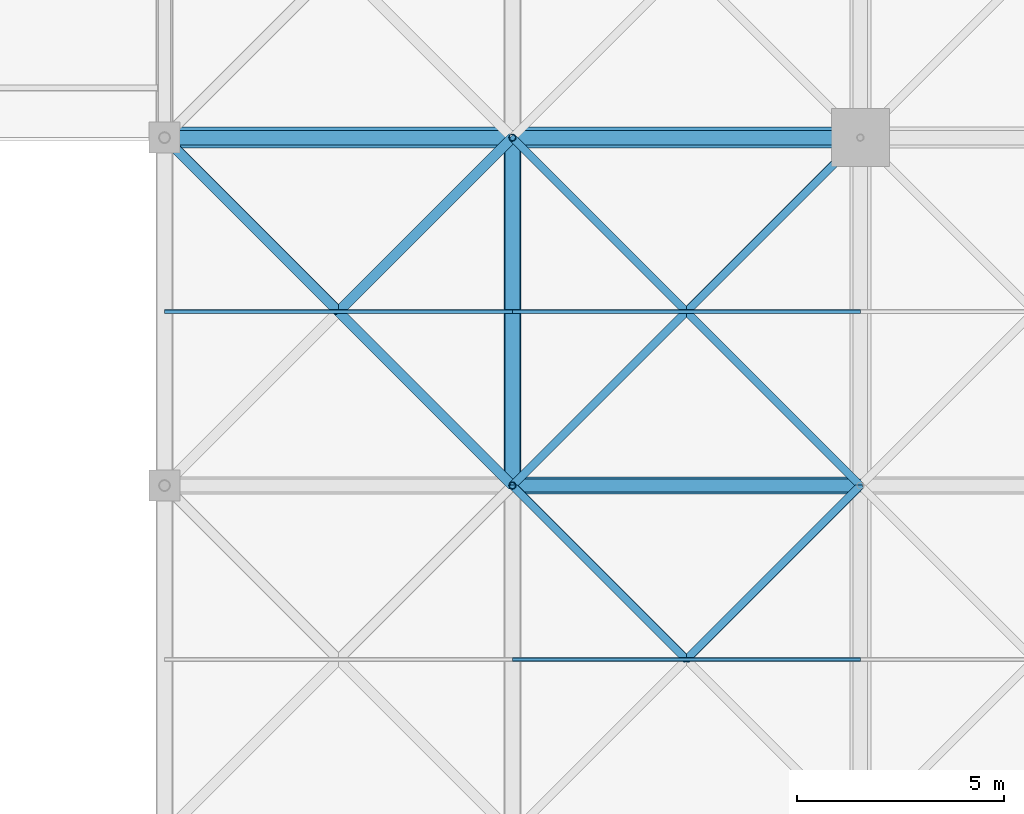
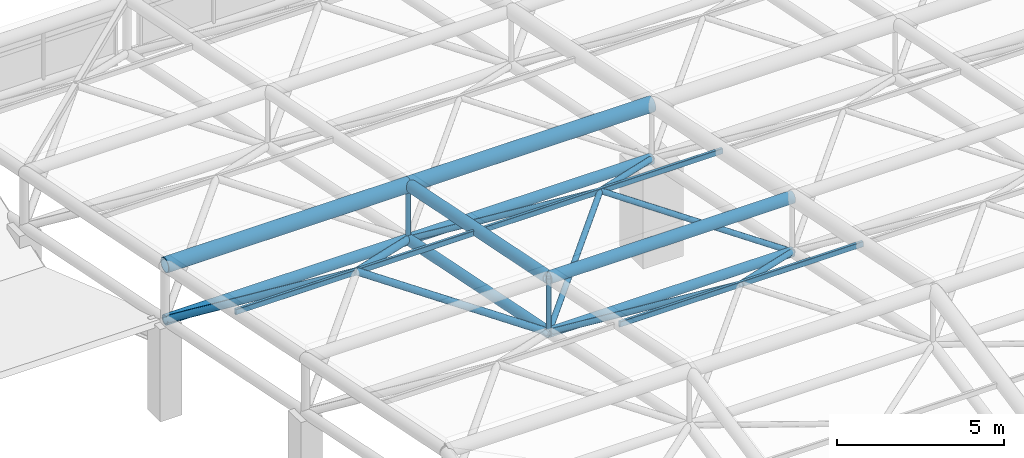
# One storey, part 41 of 110: 22 members.
"""IFC4 building model written with IfcOpenShell, lengths in metres."""

from ifc_helpers import new_model, si_unit, direction, frame, origin, origin_2d, place, context, subcontext, project, spatial, hollow_rectangle, hollow_circle, extrude, material, material_profile, profile_set, type_object, element, save


model = new_model("IFC4")

# Units and contexts
model_context = context("Model", 3, precision=1e-05, world=origin(), true_north=direction((0.0, 1.0)))
body_context = subcontext(model_context, "Body", "Model", "MODEL_VIEW")
ifc_project = project(units=[si_unit("LENGTHUNIT", "METRE"), si_unit("AREAUNIT", "SQUARE_METRE"), si_unit("VOLUMEUNIT", "CUBIC_METRE"), si_unit("PLANEANGLEUNIT", "RADIAN"), si_unit("MASSUNIT", "GRAM", prefix="KILO")], contexts=[model_context])

# Site, building, storey
site_placement = place(None, origin())
site = spatial("IfcSite", under=ifc_project, at=site_placement, CompositionType="ELEMENT")
building_placement = place(site_placement, origin())
building = spatial("IfcBuilding", under=site, at=building_placement, Name="Qawsi Khor Wholesale Market", CompositionType="ELEMENT")
storey_placement = place(building_placement, frame((0.0, 0.0, 11.39990234375)))
storey = spatial("IfcBuildingStorey", under=building, at=storey_placement, Name="L02", CompositionType="ELEMENT", Elevation=11.39990234375)

# Members
ifc_material = material(Name="Steel S355", Category="steel")
ifc_material_profile_1 = material_profile(ifc_material, hollow_circle(Radius=0.177734375, WallThickness=0.01611328125, at=origin_2d()), Name="CHS 355.6x16.0")
ifc_profile_set_1 = profile_set([ifc_material_profile_1], Name="Steel S355")
member_type_1 = type_object("IfcMemberType", Name="Space-Frame Bottom Chord CHS 355.6x16.0", PredefinedType="CHORD", material=ifc_profile_set_1)
member_1_placement = place(storey_placement, frame((142.800048828125, 92.39990234375, 3.3701171875), z_axis=(1.0, 0.0, 0.0), x_axis=(0.0, 1.0, 0.0)))
element("IfcMember", 1, at=member_1_placement, inside=storey, type_object=member_type_1, Name="Space frame bottom chord X EH (17,11)", PredefinedType="CHORD", context=body_context, shape_type="SweptSolid", body=[
    extrude(hollow_circle(Radius=0.177734375, WallThickness=0.01611328125, at=origin_2d()), origin(), (0.0, 0.0, 1.0), 8.39990234375),
])
member_2_placement = place(storey_placement, frame((151.199951171875, 84.0, 5.070068359375), z_axis=(0.0, 0.980129990483, -0.1983562496), x_axis=(-1.0, 0.0, 0.0)))
element("IfcMember", 2, at=member_2_placement, inside=storey, type_object=member_type_1, Name="Space frame bottom chord Y EH (18,10)", PredefinedType="CHORD", context=body_context, shape_type="SweptSolid", body=[
    extrude(hollow_circle(Radius=0.177734375, WallThickness=0.01611328125, at=origin_2d()), origin(), (0.0, 0.0, 1.0), 8.5703125),
])
member_3_placement = place(storey_placement, frame((151.199951171875, 92.39990234375, 3.3701171875), z_axis=(1.0, 0.0, 0.0), x_axis=(0.0, 1.0, 0.0)))
element("IfcMember", 3, at=member_3_placement, inside=storey, type_object=member_type_1, Name="Space frame bottom chord X EH (18,11)", PredefinedType="CHORD", context=body_context, shape_type="SweptSolid", body=[
    extrude(hollow_circle(Radius=0.177734375, WallThickness=0.01611328125, at=origin_2d()), origin(), (0.0, 0.0, 1.0), 8.400146484375),
])
ifc_material_profile_2 = material_profile(ifc_material, hollow_circle(Radius=0.122314453125, WallThickness=0.012451171875, at=origin_2d()), Name="CHS 244.5x12.5")
ifc_profile_set_2 = profile_set([ifc_material_profile_2], Name="Steel S355")
member_type_2 = type_object("IfcMemberType", Name="Space-Frame Heavy Diagonal CHS 244.5x12.5", PredefinedType="POST", material=ifc_profile_set_2)
member_4_placement = place(storey_placement, frame((151.199951171875, 84.0, 5.070068359375), z_axis=(-0.694211389158, 0.694211389158, 0.190108112208), x_axis=(-0.707106781187, -0.707106781187, 0.0)))
element("IfcMember", 4, at=member_4_placement, inside=storey, type_object=member_type_2, Name="Space frame diagonal EH (17,10)-2", PredefinedType="POST", context=body_context, shape_type="SweptSolid", body=[
    extrude(hollow_circle(Radius=0.122314453125, WallThickness=0.012451171875, at=origin_2d()), origin(), (0.0, 0.0, 1.0), 6.050048828125),
])
for number, where, z_axis, x_axis, name in (
    (5, (151.199951171875, 92.39990234375, 3.3701171875), (-0.637511741089, -0.637511741089, 0.432617105474), (0.707106781187, -0.707106781187, 0.0), "Space frame diagonal EH (17,10)-3"),
    (6, (142.800048828125, 92.39990234375, 3.3701171875), (0.637511741089, -0.637511741089, 0.432617105474), (0.707106781187, 0.707106781187, 0.0), "Space frame diagonal EH (17,10)-4"),
):
    element("IfcMember", number, at=place(storey_placement, frame(where, z_axis=z_axis, x_axis=x_axis)), inside=storey, type_object=member_type_2, Name=name, PredefinedType="POST", context=body_context, shape_type="SweptSolid", body=[
        extrude(hollow_circle(Radius=0.122314453125, WallThickness=0.012451171875, at=origin_2d()), origin(), (0.0, 0.0, 1.0), 6.588134765625),
    ])
ifc_material_profile_3 = material_profile(ifc_material, hollow_circle(Radius=0.25390625, WallThickness=0.02490234375, at=origin_2d()), Name="CHS 508.0x25.0")
ifc_profile_set_3 = profile_set([ifc_material_profile_3], Name="Steel S355")
member_type_3 = type_object("IfcMemberType", Name="Space-Frame Main Chord CHS 508.0x25.0", PredefinedType="CHORD", material=ifc_profile_set_3)
member_5_placement = place(storey_placement, frame((142.800048828125, 92.39990234375, 5.3701171875), z_axis=(1.0, 0.0, 0.0), x_axis=(0.0, 1.0, 0.0)))
element("IfcMember", 7, at=member_5_placement, inside=storey, type_object=member_type_3, Name="Space frame top chord X EH (17,11)", PredefinedType="CHORD", context=body_context, shape_type="SweptSolid", body=[
    extrude(hollow_circle(Radius=0.25390625, WallThickness=0.02490234375, at=origin_2d()), origin(), (0.0, 0.0, 1.0), 8.39990234375),
])
member_6_placement = place(storey_placement, frame((151.199951171875, 92.39990234375, 5.3701171875), z_axis=(1.0, 0.0, 0.0), x_axis=(0.0, 1.0, 0.0)))
element("IfcMember", 8, at=member_6_placement, inside=storey, type_object=member_type_3, Name="Space frame top chord X EH (18,11)", PredefinedType="CHORD", context=body_context, shape_type="SweptSolid", body=[
    extrude(hollow_circle(Radius=0.25390625, WallThickness=0.02490234375, at=origin_2d()), origin(), (0.0, 0.0, 1.0), 8.400146484375),
])
ifc_material_profile_4 = material_profile(ifc_material, hollow_rectangle(XDim=0.10009765625, YDim=0.199951171875, WallThickness=0.008056640625, InnerFilletRadius=0.008056640625, OuterFilletRadius=0.01611328125, at=origin_2d()), Name="RHS 200x100x8.0")
ifc_profile_set_4 = profile_set([ifc_material_profile_4], Name="Steel S355")
member_type_4 = type_object("IfcMemberType", Name="Space-Frame Purlin RHS 200x100x8.0", PredefinedType="PURLIN", material=ifc_profile_set_4)
member_7_placement = place(storey_placement, frame((142.800048828125, 88.199951171875, 6.22021484375), z_axis=(1.0, 0.0, 0.0), x_axis=(0.0, 1.0, 0.0)))
element("IfcMember", 9, at=member_7_placement, inside=storey, type_object=member_type_4, Name="Space frame purlin EH (17,10)", PredefinedType="PURLIN", context=body_context, shape_type="SweptSolid", body=[
    extrude(hollow_rectangle(XDim=0.10009765625, YDim=0.199951171875, WallThickness=0.008056640625, InnerFilletRadius=0.008056640625, OuterFilletRadius=0.01611328125, at=origin_2d()), origin(), (0.0, 0.0, 1.0), 8.39990234375),
])
for number, where, z_axis, x_axis, name in (
    (10, (151.199951171875, 79.800048828125, 7.920166015625), (1.0, 0.0, 0.0), (0.0, 1.0, 0.0), "Space frame purlin EH (18,9)"),
    (11, (151.199951171875, 88.199951171875, 6.22021484375), (1.0, 0.0, 0.0), (0.0, 1.0, 0.0), "Space frame purlin EH (18,10)"),
):
    element("IfcMember", number, at=place(storey_placement, frame(where, z_axis=z_axis, x_axis=x_axis)), inside=storey, type_object=member_type_4, Name=name, PredefinedType="PURLIN", context=body_context, shape_type="SweptSolid", body=[
        extrude(hollow_rectangle(XDim=0.10009765625, YDim=0.199951171875, WallThickness=0.008056640625, InnerFilletRadius=0.008056640625, OuterFilletRadius=0.01611328125, at=origin_2d()), origin(), (0.0, 0.0, 1.0), 8.400146484375),
    ])
ifc_material_profile_5 = material_profile(ifc_material, hollow_circle(Radius=0.161865234375, WallThickness=0.01611328125, at=origin_2d()), Name="CHS 323.9x16.0")
ifc_profile_set_5 = profile_set([ifc_material_profile_5], Name="Steel S355")
member_type_5 = type_object("IfcMemberType", Name="Space-Frame Secondary Chord CHS 323.9x16.0", PredefinedType="CHORD", material=ifc_profile_set_5)
member_8_placement = place(storey_placement, frame((151.199951171875, 84.0, 5.070068359375), z_axis=(1.0, 0.0, 0.0), x_axis=(0.0, 1.0, 0.0)))
element("IfcMember", 12, at=member_8_placement, inside=storey, type_object=member_type_5, Name="Space frame bottom chord X EH (18,10)", PredefinedType="CHORD", context=body_context, shape_type="SweptSolid", body=[
    extrude(hollow_circle(Radius=0.161865234375, WallThickness=0.01611328125, at=origin_2d()), origin(), (0.0, 0.0, 1.0), 8.400146484375),
])
ifc_material_profile_6 = material_profile(ifc_material, hollow_circle(Radius=0.096923828125, WallThickness=0.008056640625, at=origin_2d()), Name="CHS 193.7x8.0")
ifc_profile_set_6 = profile_set([ifc_material_profile_6], Name="Steel S355")
member_type_6 = type_object("IfcMemberType", Name="Space-Frame Secondary Diagonal CHS 193.7x8.0", PredefinedType="RAFTER", material=ifc_profile_set_6)
for number, where, z_axis, x_axis, name in (
    (13, (159.60009765625, 84.0, 5.070068359375), (-0.637533737254, -0.637496679957, 0.432606884951), (0.70708622964, -0.707127332136, 0.0), "Space frame diagonal EH (18,9)-3"),
    (14, (151.199951171875, 84.0, 5.070068359375), (0.637511741089, -0.637511741089, 0.432617105474), (0.707106781187, 0.707106781187, 0.0), "Space frame diagonal EH (18,9)-4"),
):
    element("IfcMember", number, at=place(storey_placement, frame(where, z_axis=z_axis, x_axis=x_axis)), inside=storey, type_object=member_type_6, Name=name, PredefinedType="RAFTER", context=body_context, shape_type="SweptSolid", body=[
        extrude(hollow_circle(Radius=0.096923828125, WallThickness=0.008056640625, at=origin_2d()), origin(), (0.0, 0.0, 1.0), 6.588134765625),
    ])
for number, where, z_axis, x_axis, name in (
    (15, (151.199951171875, 84.0, 5.070068359375), (0.694211389158, 0.694211389158, 0.190108112208), (-0.707106781187, 0.707106781187, 0.0), "Space frame diagonal EH (18,10)-1"),
    (16, (159.60009765625, 84.0, 5.070068359375), (-0.694232294544, 0.694191941586, 0.190102786538), (-0.70708622964, -0.707127332136, 0.0), "Space frame diagonal EH (18,10)-2"),
):
    element("IfcMember", number, at=place(storey_placement, frame(where, z_axis=z_axis, x_axis=x_axis)), inside=storey, type_object=member_type_6, Name=name, PredefinedType="RAFTER", context=body_context, shape_type="SweptSolid", body=[
        extrude(hollow_circle(Radius=0.096923828125, WallThickness=0.008056640625, at=origin_2d()), origin(), (0.0, 0.0, 1.0), 6.050048828125),
    ])
for number, where, z_axis, x_axis, name in (
    (17, (159.60009765625, 92.39990234375, 3.3701171875), (-0.637533737254, -0.637496679957, 0.432606884951), (0.70708622964, -0.707127332136, 0.0), "Space frame diagonal EH (18,10)-3"),
    (18, (151.199951171875, 92.39990234375, 3.3701171875), (0.637511741089, -0.637511741089, 0.432617105474), (0.707106781187, 0.707106781187, 0.0), "Space frame diagonal EH (18,10)-4"),
):
    element("IfcMember", number, at=place(storey_placement, frame(where, z_axis=z_axis, x_axis=x_axis)), inside=storey, type_object=member_type_6, Name=name, PredefinedType="RAFTER", context=body_context, shape_type="SweptSolid", body=[
        extrude(hollow_circle(Radius=0.096923828125, WallThickness=0.008056640625, at=origin_2d()), origin(), (0.0, 0.0, 1.0), 6.588134765625),
    ])
ifc_material_profile_7 = material_profile(ifc_material, hollow_circle(Radius=0.203125, WallThickness=0.02001953125, at=origin_2d()), Name="CHS 406.4x20.0")
ifc_profile_set_7 = profile_set([ifc_material_profile_7], Name="Steel S355")
member_type_7 = type_object("IfcMemberType", Name="Space-Frame Top Chord CHS 406.4x20.0", PredefinedType="CHORD", material=ifc_profile_set_7)
member_9_placement = place(storey_placement, frame((151.199951171875, 84.0, 7.070068359375), z_axis=(1.0, 0.0, 0.0), x_axis=(0.0, 1.0, 0.0)))
element("IfcMember", 19, at=member_9_placement, inside=storey, type_object=member_type_7, Name="Space frame top chord X EH (18,10)", PredefinedType="CHORD", context=body_context, shape_type="SweptSolid", body=[
    extrude(hollow_circle(Radius=0.203125, WallThickness=0.02001953125, at=origin_2d()), origin(), (0.0, 0.0, 1.0), 8.400146484375),
])
member_10_placement = place(storey_placement, frame((151.199951171875, 84.0, 7.070068359375), z_axis=(0.0, 0.980129990483, -0.1983562496), x_axis=(-1.0, 0.0, 0.0)))
element("IfcMember", 20, at=member_10_placement, inside=storey, type_object=member_type_7, Name="Space frame top chord Y EH (18,10)", PredefinedType="CHORD", context=body_context, shape_type="SweptSolid", body=[
    extrude(hollow_circle(Radius=0.203125, WallThickness=0.02001953125, at=origin_2d()), origin(), (0.0, 0.0, 1.0), 8.5703125),
])
ifc_material_profile_8 = material_profile(ifc_material, hollow_circle(Radius=0.084228515625, WallThickness=0.008056640625, at=origin_2d()), Name="CHS 168.3x8.0")
ifc_profile_set_8 = profile_set([ifc_material_profile_8], Name="Steel S355")
member_type_8 = type_object("IfcMemberType", Name="Space-Frame Vertical Strut CHS 168.3x8.0", PredefinedType="STRUT", material=ifc_profile_set_8)
for number, where, z_axis, x_axis, name in (
    (21, (151.199951171875, 84.0, 5.070068359375), (0.0, 0.0, 1.0), (1.0, 0.0, 0.0), "Space frame post EH (18,10)"),
    (22, (151.199951171875, 92.39990234375, 3.3701171875), (0.0, 0.0, 1.0), (1.0, 0.0, 0.0), "Space frame post EH (18,11)"),
):
    element("IfcMember", number, at=place(storey_placement, frame(where, z_axis=z_axis, x_axis=x_axis)), inside=storey, type_object=member_type_8, Name=name, PredefinedType="STRUT", context=body_context, shape_type="SweptSolid", body=[
        extrude(hollow_circle(Radius=0.084228515625, WallThickness=0.008056640625, at=origin_2d()), origin(), (0.0, 0.0, 1.0), 2.0),
    ])

save(model, "model.ifc")
